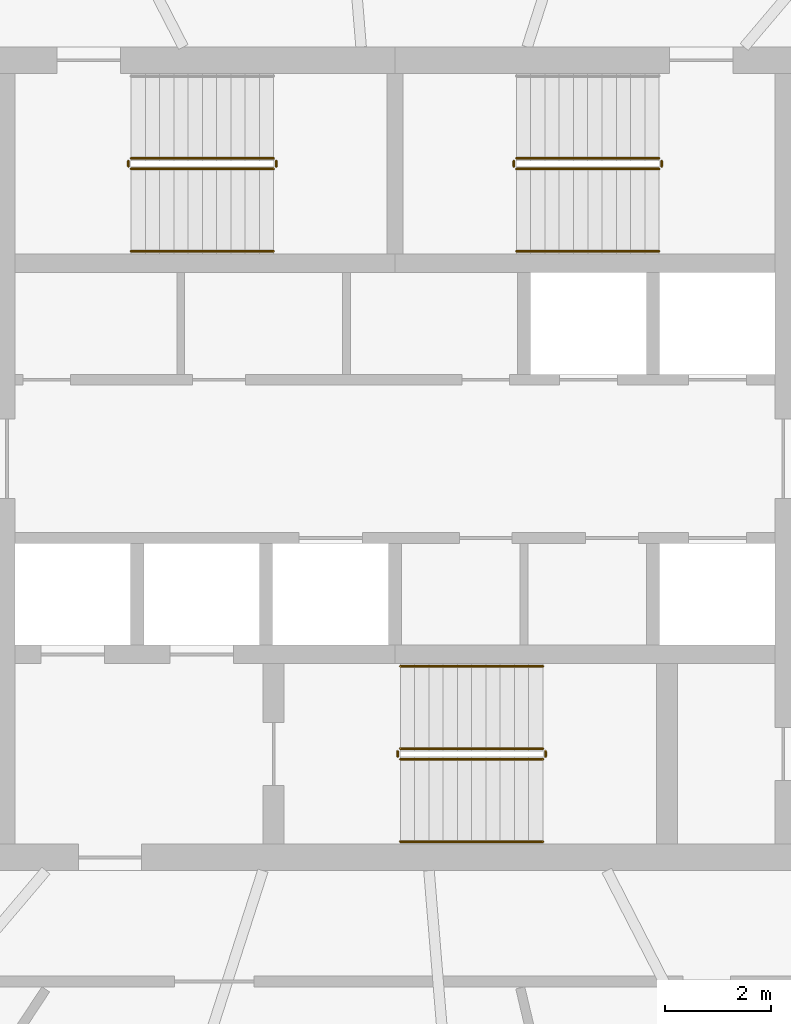
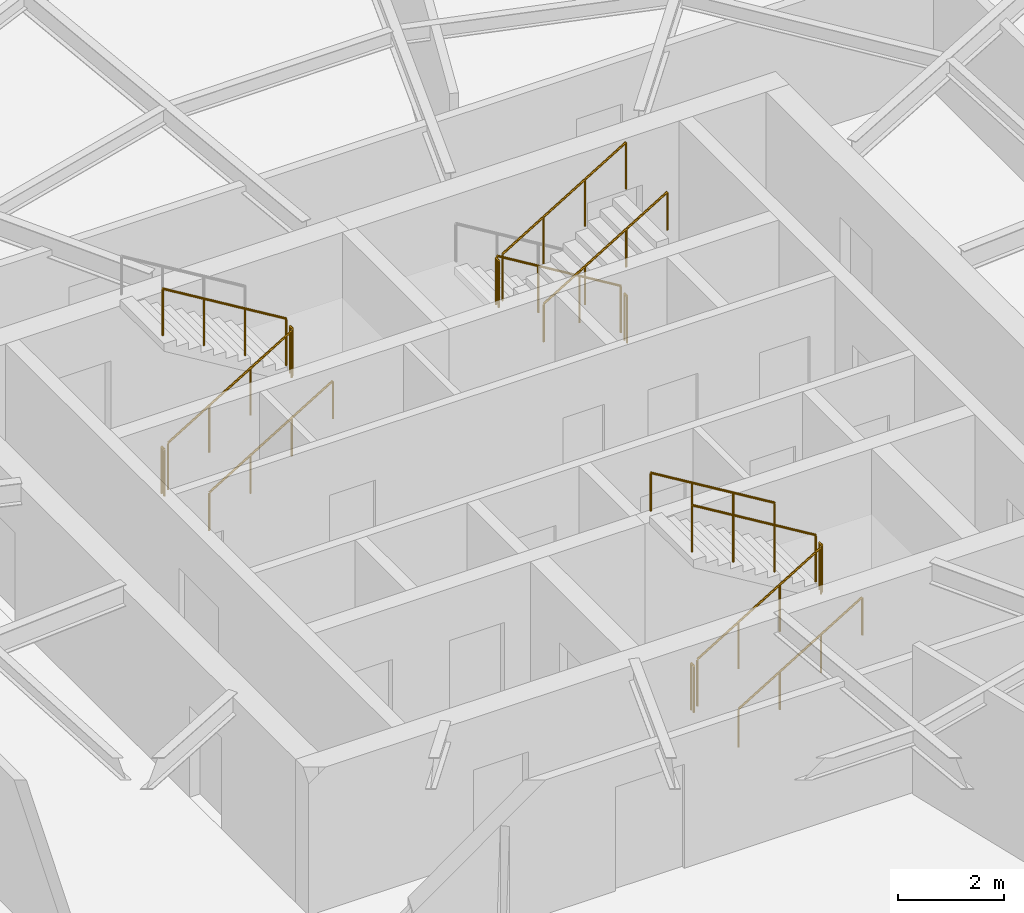
# One storey, part 13 of 15: 16 railings.
"""IFC4 building model written with IfcOpenShell, lengths in metres."""

from ifc_helpers import new_model, si_unit, direction, frame, origin, origin_2d, place, context, subcontext, project, spatial, circle, extrude, material, type_object, element, save


model = new_model("IFC4")

# Units and contexts
model_context = context("Model", 3, precision=1e-05, world=origin(), true_north=direction((0.0, 1.0)))
body_context = subcontext(model_context, "Body", "Model", "MODEL_VIEW")
ifc_project = project(units=[si_unit("LENGTHUNIT", "METRE"), si_unit("AREAUNIT", "SQUARE_METRE"), si_unit("VOLUMEUNIT", "CUBIC_METRE"), si_unit("PLANEANGLEUNIT", "RADIAN"), si_unit("MASSUNIT", "GRAM", prefix="KILO")], contexts=[model_context])

# Site, building, storey
site_placement = place(None, origin())
site = spatial("IfcSite", under=ifc_project, at=site_placement, CompositionType="ELEMENT")
building_placement = place(site_placement, origin())
building = spatial("IfcBuilding", under=site, at=building_placement, Name="Vermilion Reach Broadcast Tower", CompositionType="ELEMENT")
storey_placement = place(building_placement, frame((0.0, 0.0, 261.300048828125)))
storey = spatial("IfcBuildingStorey", under=building, at=storey_placement, Name="L64", CompositionType="ELEMENT", Elevation=261.300048828125)

# Railings
ifc_material_1 = material(Name="Stainless steel", Category="steel")
railing_type_1 = type_object("IfcRailingType", Name="Stair guard 1100", PredefinedType="GUARDRAIL", material=ifc_material_1)
railing_1_placement = place(storey_placement, frame((-11.0, 5.489990234375, 0.16357421875)))
element("IfcRailing", 1, at=railing_1_placement, inside=storey, type_object=railing_type_1, Name="L64 ST1 stair guard 1", PredefinedType="GUARDRAIL", context=body_context, shape_type="SweptSolid", body=[
    extrude(circle(Radius=0.02392578125, at=origin_2d()), frame((0.0, 0.0, 1.076171875), z_axis=(0.855178096276, 0.0, 0.518334277904), x_axis=(0.0, 1.0, 0.0)), (0.0, 0.0, 1.0), 3.1572265625),
    extrude(circle(Radius=0.02099609375, at=origin_2d()), origin(), (0.0, 0.0, 1.0), 1.052001953125),
    extrude(circle(Radius=0.02099609375, at=origin_2d()), frame((0.89990234375, 0.0, 0.54541015625)), (0.0, 0.0, 1.0), 1.052001953125),
    extrude(circle(Radius=0.02099609375, at=origin_2d()), frame((1.800048828125, 0.0, 1.091064453125)), (0.0, 0.0, 1.0), 1.052001953125),
    extrude(circle(Radius=0.02099609375, at=origin_2d()), frame((2.699951171875, 0.0, 1.636474609375)), (0.0, 0.0, 1.0), 1.052001953125),
])
railing_2_placement = place(storey_placement, frame((-8.25, 5.5400390625, 1.800048828125)))
element("IfcRailing", 2, at=railing_2_placement, inside=storey, type_object=railing_type_1, Name="L64 ST1 stair guard 2", PredefinedType="GUARDRAIL", context=body_context, shape_type="SweptSolid", body=[
    extrude(circle(Radius=0.02392578125, at=origin_2d()), frame((0.0, 0.0, 1.076171875), z_axis=(0.0, 1.0, 0.0), x_axis=(-1.0, 0.0, 0.0)), (0.0, 0.0, 1.0), 0.099853515625),
    extrude(circle(Radius=0.02099609375, at=origin_2d()), origin(), (0.0, 0.0, 1.0), 1.052001953125),
    extrude(circle(Radius=0.02099609375, at=origin_2d()), frame((0.0, 0.099853515625, 0.0)), (0.0, 0.0, 1.0), 1.052001953125),
])
railing_3_placement = place(storey_placement, frame((-8.300048828125, 5.68994140625, 1.963623046875)))
element("IfcRailing", 3, at=railing_3_placement, inside=storey, type_object=railing_type_1, Name="L64 ST1 stair guard 3", PredefinedType="GUARDRAIL", context=body_context, shape_type="SweptSolid", body=[
    extrude(circle(Radius=0.02392578125, at=origin_2d()), frame((0.0, 0.0, 1.076171875), z_axis=(-0.855212373127, 0.0, 0.518277721738), x_axis=(0.0, -1.0, 0.0)), (0.0, 0.0, 1.0), 3.156982421875),
    extrude(circle(Radius=0.02099609375, at=origin_2d()), origin(), (0.0, 0.0, 1.0), 1.052001953125),
    extrude(circle(Radius=0.02099609375, at=origin_2d()), frame((-0.89990234375, 0.0, 0.54541015625)), (0.0, 0.0, 1.0), 1.052001953125),
    extrude(circle(Radius=0.02099609375, at=origin_2d()), frame((-1.800048828125, 0.0, 1.0908203125)), (0.0, 0.0, 1.0), 1.052001953125),
    extrude(circle(Radius=0.02099609375, at=origin_2d()), frame((-2.699951171875, 0.0, 1.63623046875)), (0.0, 0.0, 1.0), 1.052001953125),
])
railing_4_placement = place(storey_placement, frame((-11.050048828125, 5.5400390625, 0.0)))
element("IfcRailing", 4, at=railing_4_placement, inside=storey, type_object=railing_type_1, Name="L64 ST1 stair guard 4", PredefinedType="GUARDRAIL", context=body_context, shape_type="SweptSolid", body=[
    extrude(circle(Radius=0.02392578125, at=origin_2d()), frame((0.0, 0.0, 1.076171875), z_axis=(0.0, 1.0, 0.0), x_axis=(-1.0, 0.0, 0.0)), (0.0, 0.0, 1.0), 0.099853515625),
    extrude(circle(Radius=0.02099609375, at=origin_2d()), origin(), (0.0, 0.0, 1.0), 1.052001953125),
    extrude(circle(Radius=0.02099609375, at=origin_2d()), frame((0.0, 0.099853515625, 0.0)), (0.0, 0.0, 1.0), 1.052001953125),
])
railing_5_placement = place(storey_placement, frame((-1.0, 5.68994140625, 0.16357421875)))
element("IfcRailing", 5, at=railing_5_placement, inside=storey, type_object=railing_type_1, Name="L64 ST2 stair guard 1", PredefinedType="GUARDRAIL", context=body_context, shape_type="SweptSolid", body=[
    extrude(circle(Radius=0.02392578125, at=origin_2d()), frame((0.0, 0.0, 1.076171875), z_axis=(-0.855178096276, 0.0, 0.518334277904), x_axis=(0.0, -1.0, 0.0)), (0.0, 0.0, 1.0), 3.1572265625),
    extrude(circle(Radius=0.02099609375, at=origin_2d()), origin(), (0.0, 0.0, 1.0), 1.052001953125),
    extrude(circle(Radius=0.02099609375, at=origin_2d()), frame((-0.89990234375, 0.0, 0.54541015625)), (0.0, 0.0, 1.0), 1.052001953125),
    extrude(circle(Radius=0.02099609375, at=origin_2d()), frame((-1.800048828125, 0.0, 1.091064453125)), (0.0, 0.0, 1.0), 1.052001953125),
    extrude(circle(Radius=0.02099609375, at=origin_2d()), frame((-2.699951171875, 0.0, 1.636474609375)), (0.0, 0.0, 1.0), 1.052001953125),
])
railing_6_placement = place(storey_placement, frame((-3.75, 5.639892578125, 1.800048828125)))
element("IfcRailing", 6, at=railing_6_placement, inside=storey, type_object=railing_type_1, Name="L64 ST2 stair guard 2", PredefinedType="GUARDRAIL", context=body_context, shape_type="SweptSolid", body=[
    extrude(circle(Radius=0.02392578125, at=origin_2d()), frame((0.0, 0.0, 1.076171875), z_axis=(0.0, -1.0, 0.0), x_axis=(1.0, 0.0, 0.0)), (0.0, 0.0, 1.0), 0.099853515625),
    extrude(circle(Radius=0.02099609375, at=origin_2d()), origin(), (0.0, 0.0, 1.0), 1.052001953125),
    extrude(circle(Radius=0.02099609375, at=origin_2d()), frame((0.0, -0.099853515625, 0.0)), (0.0, 0.0, 1.0), 1.052001953125),
])
railing_7_placement = place(storey_placement, frame((-3.699951171875, 5.489990234375, 1.963623046875)))
element("IfcRailing", 7, at=railing_7_placement, inside=storey, type_object=railing_type_1, Name="L64 ST2 stair guard 3", PredefinedType="GUARDRAIL", context=body_context, shape_type="SweptSolid", body=[
    extrude(circle(Radius=0.02392578125, at=origin_2d()), frame((0.0, 0.0, 1.076171875), z_axis=(0.855212373127, 0.0, 0.518277721738), x_axis=(0.0, 1.0, 0.0)), (0.0, 0.0, 1.0), 3.156982421875),
    extrude(circle(Radius=0.02099609375, at=origin_2d()), origin(), (0.0, 0.0, 1.0), 1.052001953125),
    extrude(circle(Radius=0.02099609375, at=origin_2d()), frame((0.89990234375, 0.0, 0.54541015625)), (0.0, 0.0, 1.0), 1.052001953125),
    extrude(circle(Radius=0.02099609375, at=origin_2d()), frame((1.800048828125, 0.0, 1.0908203125)), (0.0, 0.0, 1.0), 1.052001953125),
    extrude(circle(Radius=0.02099609375, at=origin_2d()), frame((2.699951171875, 0.0, 1.63623046875)), (0.0, 0.0, 1.0), 1.052001953125),
])
railing_8_placement = place(storey_placement, frame((-0.949951171875, 5.639892578125, 0.0)))
element("IfcRailing", 8, at=railing_8_placement, inside=storey, type_object=railing_type_1, Name="L64 ST2 stair guard 4", PredefinedType="GUARDRAIL", context=body_context, shape_type="SweptSolid", body=[
    extrude(circle(Radius=0.02392578125, at=origin_2d()), frame((0.0, 0.0, 1.076171875), z_axis=(0.0, -1.0, 0.0), x_axis=(1.0, 0.0, 0.0)), (0.0, 0.0, 1.0), 0.099853515625),
    extrude(circle(Radius=0.02099609375, at=origin_2d()), origin(), (0.0, 0.0, 1.0), 1.052001953125),
    extrude(circle(Radius=0.02099609375, at=origin_2d()), frame((0.0, -0.099853515625, 0.0)), (0.0, 0.0, 1.0), 1.052001953125),
])
railing_9_placement = place(storey_placement, frame((-5.89990234375, -5.68994140625, 0.16357421875)))
element("IfcRailing", 9, at=railing_9_placement, inside=storey, type_object=railing_type_1, Name="L64 ST3 stair guard 1", PredefinedType="GUARDRAIL", context=body_context, shape_type="SweptSolid", body=[
    extrude(circle(Radius=0.02392578125, at=origin_2d()), frame((0.0, 0.0, 1.076171875), z_axis=(0.855178096276, 0.0, 0.518334277904), x_axis=(0.0, 1.0, 0.0)), (0.0, 0.0, 1.0), 3.1572265625),
    extrude(circle(Radius=0.02099609375, at=origin_2d()), origin(), (0.0, 0.0, 1.0), 1.052001953125),
    extrude(circle(Radius=0.02099609375, at=origin_2d()), frame((0.89990234375, 0.0, 0.54541015625)), (0.0, 0.0, 1.0), 1.052001953125),
    extrude(circle(Radius=0.02099609375, at=origin_2d()), frame((1.800048828125, 0.0, 1.091064453125)), (0.0, 0.0, 1.0), 1.052001953125),
    extrude(circle(Radius=0.02099609375, at=origin_2d()), frame((2.699951171875, 0.0, 1.636474609375)), (0.0, 0.0, 1.0), 1.052001953125),
])
railing_10_placement = place(storey_placement, frame((-3.14990234375, -5.639892578125, 1.800048828125)))
element("IfcRailing", 10, at=railing_10_placement, inside=storey, type_object=railing_type_1, Name="L64 ST3 stair guard 2", PredefinedType="GUARDRAIL", context=body_context, shape_type="SweptSolid", body=[
    extrude(circle(Radius=0.02392578125, at=origin_2d()), frame((0.0, 0.0, 1.076171875), z_axis=(0.0, 1.0, 0.0), x_axis=(-1.0, 0.0, 0.0)), (0.0, 0.0, 1.0), 0.099853515625),
    extrude(circle(Radius=0.02099609375, at=origin_2d()), origin(), (0.0, 0.0, 1.0), 1.052001953125),
    extrude(circle(Radius=0.02099609375, at=origin_2d()), frame((0.0, 0.099853515625, 0.0)), (0.0, 0.0, 1.0), 1.052001953125),
])
railing_11_placement = place(storey_placement, frame((-3.199951171875, -5.489990234375, 1.963623046875)))
element("IfcRailing", 11, at=railing_11_placement, inside=storey, type_object=railing_type_1, Name="L64 ST3 stair guard 3", PredefinedType="GUARDRAIL", context=body_context, shape_type="SweptSolid", body=[
    extrude(circle(Radius=0.02392578125, at=origin_2d()), frame((0.0, 0.0, 1.076171875), z_axis=(-0.855212373127, 0.0, 0.518277721738), x_axis=(0.0, -1.0, 0.0)), (0.0, 0.0, 1.0), 3.156982421875),
    extrude(circle(Radius=0.02099609375, at=origin_2d()), origin(), (0.0, 0.0, 1.0), 1.052001953125),
    extrude(circle(Radius=0.02099609375, at=origin_2d()), frame((-0.89990234375, 0.0, 0.54541015625)), (0.0, 0.0, 1.0), 1.052001953125),
    extrude(circle(Radius=0.02099609375, at=origin_2d()), frame((-1.800048828125, 0.0, 1.0908203125)), (0.0, 0.0, 1.0), 1.052001953125),
    extrude(circle(Radius=0.02099609375, at=origin_2d()), frame((-2.699951171875, 0.0, 1.63623046875)), (0.0, 0.0, 1.0), 1.052001953125),
])
railing_12_placement = place(storey_placement, frame((-5.949951171875, -5.639892578125, 0.0)))
element("IfcRailing", 12, at=railing_12_placement, inside=storey, type_object=railing_type_1, Name="L64 ST3 stair guard 4", PredefinedType="GUARDRAIL", context=body_context, shape_type="SweptSolid", body=[
    extrude(circle(Radius=0.02392578125, at=origin_2d()), frame((0.0, 0.0, 1.076171875), z_axis=(0.0, 1.0, 0.0), x_axis=(-1.0, 0.0, 0.0)), (0.0, 0.0, 1.0), 0.099853515625),
    extrude(circle(Radius=0.02099609375, at=origin_2d()), origin(), (0.0, 0.0, 1.0), 1.052001953125),
    extrude(circle(Radius=0.02099609375, at=origin_2d()), frame((0.0, 0.099853515625, 0.0)), (0.0, 0.0, 1.0), 1.052001953125),
])
ifc_material_2 = material(Name="Stainless steel", Category="steel")
railing_type_2 = type_object("IfcRailingType", Name="Stair handrail", PredefinedType="HANDRAIL", material=ifc_material_2)
railing_13_placement = place(storey_placement, frame((-11.0, 3.929931640625, 0.16357421875)))
element("IfcRailing", 13, at=railing_13_placement, inside=storey, type_object=railing_type_2, Name="L64 ST1 stair handrail 1", PredefinedType="HANDRAIL", context=body_context, shape_type="SweptSolid", body=[
    extrude(circle(Radius=0.02392578125, at=origin_2d()), frame((0.0, 0.0, 0.8759765625), z_axis=(0.855178096276, 0.0, 0.518334277904), x_axis=(0.0, 1.0, 0.0)), (0.0, 0.0, 1.0), 3.1572265625),
    extrude(circle(Radius=0.02099609375, at=origin_2d()), origin(), (0.0, 0.0, 1.0), 0.851806640625),
    extrude(circle(Radius=0.02099609375, at=origin_2d()), frame((0.89990234375, 0.0, 0.54541015625)), (0.0, 0.0, 1.0), 0.851806640625),
    extrude(circle(Radius=0.02099609375, at=origin_2d()), frame((1.800048828125, 0.0, 1.091064453125)), (0.0, 0.0, 1.0), 0.851806640625),
    extrude(circle(Radius=0.02099609375, at=origin_2d()), frame((2.699951171875, 0.0, 1.636474609375)), (0.0, 0.0, 1.0), 0.851806640625),
])
railing_14_placement = place(storey_placement, frame((-3.699951171875, 3.929931640625, 1.963623046875)))
element("IfcRailing", 14, at=railing_14_placement, inside=storey, type_object=railing_type_2, Name="L64 ST2 stair handrail 2", PredefinedType="HANDRAIL", context=body_context, shape_type="SweptSolid", body=[
    extrude(circle(Radius=0.02392578125, at=origin_2d()), frame((0.0, 0.0, 0.8759765625), z_axis=(0.855212373127, 0.0, 0.518277721738), x_axis=(0.0, 1.0, 0.0)), (0.0, 0.0, 1.0), 3.156982421875),
    extrude(circle(Radius=0.02099609375, at=origin_2d()), origin(), (0.0, 0.0, 1.0), 0.851806640625),
    extrude(circle(Radius=0.02099609375, at=origin_2d()), frame((0.89990234375, 0.0, 0.54541015625)), (0.0, 0.0, 1.0), 0.851806640625),
    extrude(circle(Radius=0.02099609375, at=origin_2d()), frame((1.800048828125, 0.0, 1.0908203125)), (0.0, 0.0, 1.0), 0.851806640625),
    extrude(circle(Radius=0.02099609375, at=origin_2d()), frame((2.699951171875, 0.0, 1.63623046875)), (0.0, 0.0, 1.0), 0.851806640625),
])
railing_15_placement = place(storey_placement, frame((-5.89990234375, -7.25, 0.16357421875)))
element("IfcRailing", 15, at=railing_15_placement, inside=storey, type_object=railing_type_2, Name="L64 ST3 stair handrail 1", PredefinedType="HANDRAIL", context=body_context, shape_type="SweptSolid", body=[
    extrude(circle(Radius=0.02392578125, at=origin_2d()), frame((0.0, 0.0, 0.8759765625), z_axis=(0.855178096276, 0.0, 0.518334277904), x_axis=(0.0, 1.0, 0.0)), (0.0, 0.0, 1.0), 3.1572265625),
    extrude(circle(Radius=0.02099609375, at=origin_2d()), origin(), (0.0, 0.0, 1.0), 0.851806640625),
    extrude(circle(Radius=0.02099609375, at=origin_2d()), frame((0.89990234375, 0.0, 0.54541015625)), (0.0, 0.0, 1.0), 0.851806640625),
    extrude(circle(Radius=0.02099609375, at=origin_2d()), frame((1.800048828125, 0.0, 1.091064453125)), (0.0, 0.0, 1.0), 0.851806640625),
    extrude(circle(Radius=0.02099609375, at=origin_2d()), frame((2.699951171875, 0.0, 1.636474609375)), (0.0, 0.0, 1.0), 0.851806640625),
])
railing_16_placement = place(storey_placement, frame((-3.199951171875, -3.929931640625, 1.963623046875)))
element("IfcRailing", 16, at=railing_16_placement, inside=storey, type_object=railing_type_2, Name="L64 ST3 stair handrail 2", PredefinedType="HANDRAIL", context=body_context, shape_type="SweptSolid", body=[
    extrude(circle(Radius=0.02392578125, at=origin_2d()), frame((0.0, 0.0, 0.8759765625), z_axis=(-0.855212373127, 0.0, 0.518277721738), x_axis=(0.0, -1.0, 0.0)), (0.0, 0.0, 1.0), 3.156982421875),
    extrude(circle(Radius=0.02099609375, at=origin_2d()), origin(), (0.0, 0.0, 1.0), 0.851806640625),
    extrude(circle(Radius=0.02099609375, at=origin_2d()), frame((-0.89990234375, 0.0, 0.54541015625)), (0.0, 0.0, 1.0), 0.851806640625),
    extrude(circle(Radius=0.02099609375, at=origin_2d()), frame((-1.800048828125, 0.0, 1.0908203125)), (0.0, 0.0, 1.0), 0.851806640625),
    extrude(circle(Radius=0.02099609375, at=origin_2d()), frame((-2.699951171875, 0.0, 1.63623046875)), (0.0, 0.0, 1.0), 0.851806640625),
])

save(model, "model.ifc")
